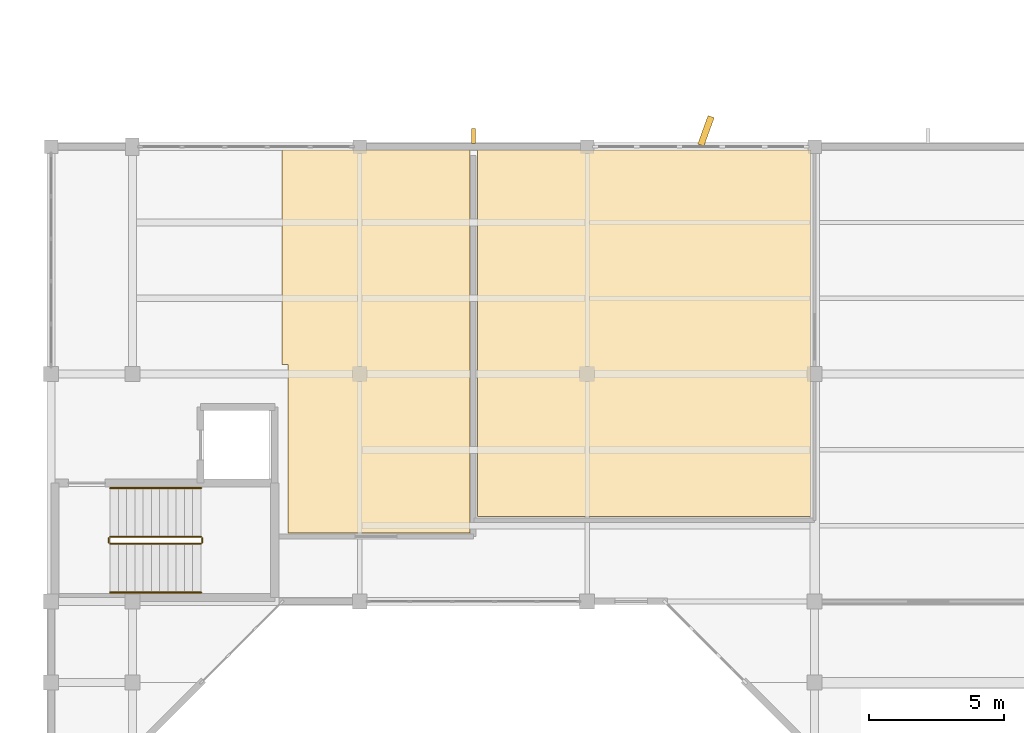
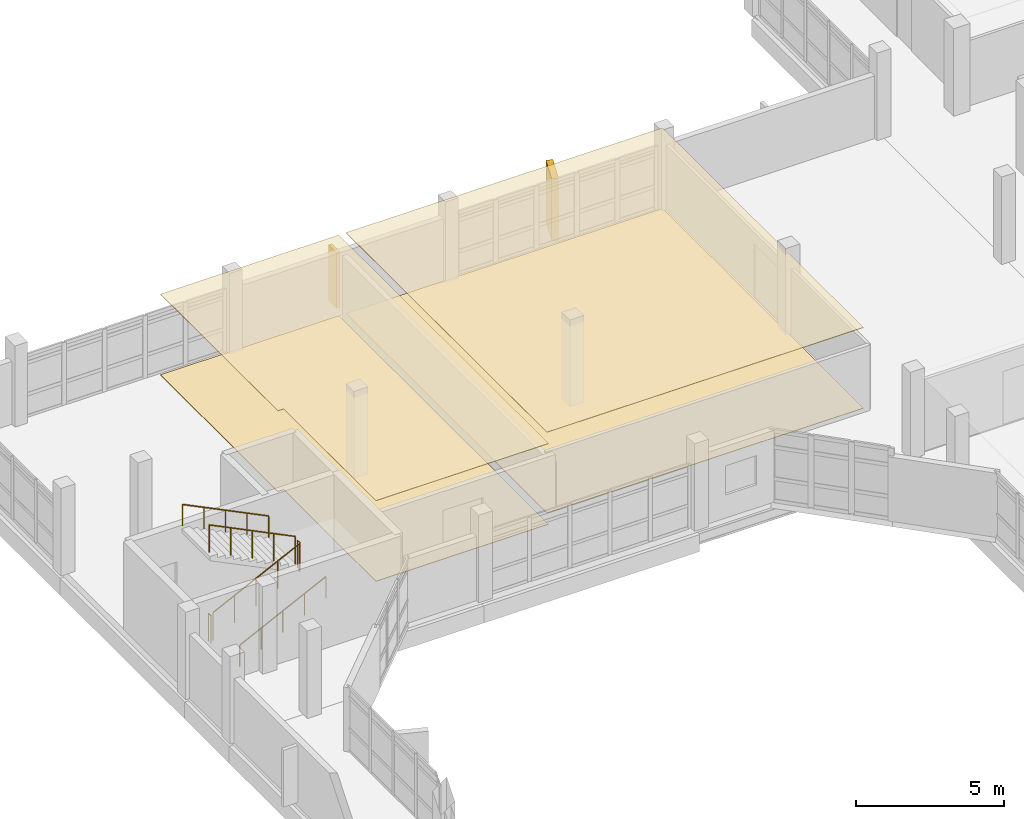
# One storey, part 48 of 51: 6 railings, 5 coverings, 1 shading device.
"""IFC4 building model written with IfcOpenShell, lengths in metres."""

from ifc_helpers import new_model, si_unit, direction, frame, origin, origin_2d, place, context, subcontext, project, spatial, polyline, rectangle, circle, outline, extrude, material, layer, layer_set, type_object, element, save


model = new_model("IFC4")

# Units and contexts
model_context = context("Model", 3, precision=1e-05, world=origin(), true_north=direction((0.0, 1.0)))
body_context = subcontext(model_context, "Body", "Model", "MODEL_VIEW")
ifc_project = project(units=[si_unit("LENGTHUNIT", "METRE"), si_unit("AREAUNIT", "SQUARE_METRE"), si_unit("VOLUMEUNIT", "CUBIC_METRE"), si_unit("PLANEANGLEUNIT", "RADIAN"), si_unit("MASSUNIT", "GRAM", prefix="KILO")], contexts=[model_context])

# Site, building, storey
site_placement = place(None, origin())
site = spatial("IfcSite", under=ifc_project, at=site_placement, CompositionType="ELEMENT")
building_placement = place(site_placement, origin())
building = spatial("IfcBuilding", under=site, at=building_placement, Name="Vanh Quang Courtyard School", CompositionType="ELEMENT")
storey_placement = place(building_placement, frame((0.0, 0.0, 11.39990234375)))
storey = spatial("IfcBuildingStorey", under=building, at=storey_placement, Name="L03", CompositionType="ELEMENT", Elevation=11.39990234375)

# Coverings
ifc_material_1 = material(Name="Perforated mineral-fibre acoustic ceiling board")
ifc_layer_1 = layer(ifc_material_1, 0.02490234375)
ifc_layer_set_1 = layer_set([ifc_layer_1], Name="Perforated mineral-fibre acoustic ceiling board")
covering_type_1 = type_object("IfcCoveringType", Name="COV-CEIL-ACOUSTIC", PredefinedType="CEILING", material=ifc_layer_set_1)
covering_1_placement = place(storey_placement, frame((0.0, 0.0, 3.315185546875)))
element("IfcCovering", 1, at=covering_1_placement, inside=storey, type_object=covering_type_1, Name="Covering CV-CL1 (L03)", PredefinedType="CEILING", context=body_context, shape_type="SweptSolid", body=[
    extrude(outline(polyline([(53.27001953125, 73.93994140625), (53.27001953125, 73.93896484375), (53.269775390625, 73.93798828125), (53.26953125, 73.93701171875), (53.269287109375, 73.936279296875), (53.268798828125, 73.935302734375), (53.268310546875, 73.934326171875), (53.267578125, 73.93359375), (53.26708984375, 73.932861328125), (53.266357421875, 73.932373046875), (53.265625, 73.931640625), (53.2646484375, 73.93115234375), (53.263916015625, 73.930908203125), (53.262939453125, 73.930419921875), (53.261962890625, 73.93017578125), (53.260986328125, 73.929931640625), (53.260009765625, 73.929931640625), (46.550048828125, 73.929931640625), (46.550048828125, 80.14990234375), (46.330078125, 80.14990234375), (46.330078125, 88.06005859375), (46.330078125, 88.06103515625), (46.330078125, 88.06201171875), (46.330322265625, 88.06298828125), (46.330810546875, 88.063720703125), (46.331298828125, 88.064697265625), (46.331787109375, 88.065673828125), (46.332275390625, 88.06640625), (46.3330078125, 88.067138671875), (46.333740234375, 88.067626953125), (46.33447265625, 88.068359375), (46.335205078125, 88.06884765625), (46.336181640625, 88.069091796875), (46.337158203125, 88.069580078125), (46.337890625, 88.06982421875), (46.339111328125, 88.070068359375), (46.340087890625, 88.070068359375), (53.260009765625, 88.070068359375), (53.260986328125, 88.070068359375), (53.261962890625, 88.06982421875), (53.262939453125, 88.069580078125), (53.263916015625, 88.069091796875), (53.2646484375, 88.06884765625), (53.265625, 88.068359375), (53.266357421875, 88.067626953125), (53.26708984375, 88.067138671875), (53.267578125, 88.06640625), (53.268310546875, 88.065673828125), (53.268798828125, 88.064697265625), (53.269287109375, 88.063720703125), (53.26953125, 88.06298828125), (53.269775390625, 88.06201171875), (53.27001953125, 88.06103515625), (53.27001953125, 88.06005859375), (53.27001953125, 73.93994140625)])), origin(), (0.0, 0.0, 1.0), 0.02490234375),
])
covering_2_placement = place(storey_placement, frame((0.0, 0.0, 3.315185546875)))
element("IfcCovering", 2, at=covering_2_placement, inside=storey, type_object=covering_type_1, Name="Covering CV-CL1 (L03)", PredefinedType="CEILING", context=body_context, shape_type="SweptSolid", body=[
    extrude(outline(polyline([(53.550048828125, 88.06005859375), (53.550048828125, 88.06103515625), (53.55029296875, 88.06201171875), (53.55029296875, 88.06298828125), (53.55078125, 88.063720703125), (53.55126953125, 88.064697265625), (53.5517578125, 88.065673828125), (53.55224609375, 88.06640625), (53.552978515625, 88.067138671875), (53.5537109375, 88.067626953125), (53.554443359375, 88.068359375), (53.555419921875, 88.06884765625), (53.55615234375, 88.069091796875), (53.55712890625, 88.069580078125), (53.55810546875, 88.06982421875), (53.55908203125, 88.070068359375), (53.56005859375, 88.070068359375), (65.860107421875, 88.070068359375), (65.861083984375, 88.070068359375), (65.862060546875, 88.06982421875), (65.86279296875, 88.069580078125), (65.86376953125, 88.069091796875), (65.86474609375, 88.06884765625), (65.865478515625, 88.068359375), (65.8662109375, 88.067626953125), (65.8671875, 88.067138671875), (65.86767578125, 88.06640625), (65.868408203125, 88.065673828125), (65.868896484375, 88.064697265625), (65.869140625, 88.063720703125), (65.86962890625, 88.06298828125), (65.869873046875, 88.06201171875), (65.8701171875, 88.06103515625), (65.8701171875, 88.06005859375), (65.8701171875, 74.5400390625), (65.8701171875, 74.5390625), (65.869873046875, 74.5380859375), (65.86962890625, 74.537109375), (65.869140625, 74.5361328125), (65.868896484375, 74.535400390625), (65.868408203125, 74.534423828125), (65.86767578125, 74.53369140625), (65.8671875, 74.532958984375), (65.8662109375, 74.5322265625), (65.865478515625, 74.53173828125), (65.86474609375, 74.53125), (65.86376953125, 74.53076171875), (65.86279296875, 74.530517578125), (65.862060546875, 74.5302734375), (65.861083984375, 74.530029296875), (65.860107421875, 74.530029296875), (53.56005859375, 74.530029296875), (53.55908203125, 74.530029296875), (53.55810546875, 74.5302734375), (53.55712890625, 74.530517578125), (53.55615234375, 74.53076171875), (53.555419921875, 74.53125), (53.554443359375, 74.53173828125), (53.5537109375, 74.5322265625), (53.552978515625, 74.532958984375), (53.55224609375, 74.53369140625), (53.5517578125, 74.534423828125), (53.55126953125, 74.535400390625), (53.55078125, 74.5361328125), (53.55029296875, 74.537109375), (53.55029296875, 74.5380859375), (53.550048828125, 74.5390625), (53.550048828125, 74.5400390625), (53.550048828125, 88.06005859375)])), origin(), (0.0, 0.0, 1.0), 0.02490234375),
])
ifc_material_2 = material(Name="Polished cementitious terrazzo tile", Category="concrete")
ifc_layer_2 = layer(ifc_material_2, 0.02001953125)
ifc_layer_set_2 = layer_set([ifc_layer_2], Name="Polished cementitious terrazzo tile")
covering_type_2 = type_object("IfcCoveringType", Name="COV-FLR-TERRAZZO", PredefinedType="FLOORING", material=ifc_layer_set_2)
covering_3_placement = place(storey_placement, origin())
element("IfcCovering", 3, at=covering_3_placement, inside=storey, type_object=covering_type_2, Name="Covering CV-FL1 (L03)", PredefinedType="FLOORING", context=body_context, shape_type="SweptSolid", body=[
    extrude(outline(polyline([(53.27001953125, 73.93994140625), (53.27001953125, 73.93896484375), (53.269775390625, 73.93798828125), (53.26953125, 73.93701171875), (53.269287109375, 73.936279296875), (53.268798828125, 73.935302734375), (53.268310546875, 73.934326171875), (53.267578125, 73.93359375), (53.26708984375, 73.932861328125), (53.266357421875, 73.932373046875), (53.265625, 73.931640625), (53.2646484375, 73.93115234375), (53.263916015625, 73.930908203125), (53.262939453125, 73.930419921875), (53.261962890625, 73.93017578125), (53.260986328125, 73.929931640625), (53.260009765625, 73.929931640625), (46.550048828125, 73.929931640625), (46.550048828125, 80.14990234375), (46.330078125, 80.14990234375), (46.330078125, 88.06005859375), (46.330078125, 88.06103515625), (46.330078125, 88.06201171875), (46.330322265625, 88.06298828125), (46.330810546875, 88.063720703125), (46.331298828125, 88.064697265625), (46.331787109375, 88.065673828125), (46.332275390625, 88.06640625), (46.3330078125, 88.067138671875), (46.333740234375, 88.067626953125), (46.33447265625, 88.068359375), (46.335205078125, 88.06884765625), (46.336181640625, 88.069091796875), (46.337158203125, 88.069580078125), (46.337890625, 88.06982421875), (46.339111328125, 88.070068359375), (46.340087890625, 88.070068359375), (53.260009765625, 88.070068359375), (53.260986328125, 88.070068359375), (53.261962890625, 88.06982421875), (53.262939453125, 88.069580078125), (53.263916015625, 88.069091796875), (53.2646484375, 88.06884765625), (53.265625, 88.068359375), (53.266357421875, 88.067626953125), (53.26708984375, 88.067138671875), (53.267578125, 88.06640625), (53.268310546875, 88.065673828125), (53.268798828125, 88.064697265625), (53.269287109375, 88.063720703125), (53.26953125, 88.06298828125), (53.269775390625, 88.06201171875), (53.27001953125, 88.06103515625), (53.27001953125, 88.06005859375), (53.27001953125, 73.93994140625)])), origin(), (0.0, 0.0, 1.0), 0.02001953125),
])
covering_4_placement = place(storey_placement, origin())
element("IfcCovering", 4, at=covering_4_placement, inside=storey, type_object=covering_type_2, Name="Covering CV-FL1 (L03)", PredefinedType="FLOORING", context=body_context, shape_type="SweptSolid", body=[
    extrude(outline(polyline([(53.550048828125, 88.06005859375), (53.550048828125, 88.06103515625), (53.55029296875, 88.06201171875), (53.55029296875, 88.06298828125), (53.55078125, 88.063720703125), (53.55126953125, 88.064697265625), (53.5517578125, 88.065673828125), (53.55224609375, 88.06640625), (53.552978515625, 88.067138671875), (53.5537109375, 88.067626953125), (53.554443359375, 88.068359375), (53.555419921875, 88.06884765625), (53.55615234375, 88.069091796875), (53.55712890625, 88.069580078125), (53.55810546875, 88.06982421875), (53.55908203125, 88.070068359375), (53.56005859375, 88.070068359375), (65.860107421875, 88.070068359375), (65.861083984375, 88.070068359375), (65.862060546875, 88.06982421875), (65.86279296875, 88.069580078125), (65.86376953125, 88.069091796875), (65.86474609375, 88.06884765625), (65.865478515625, 88.068359375), (65.8662109375, 88.067626953125), (65.8671875, 88.067138671875), (65.86767578125, 88.06640625), (65.868408203125, 88.065673828125), (65.868896484375, 88.064697265625), (65.869140625, 88.063720703125), (65.86962890625, 88.06298828125), (65.869873046875, 88.06201171875), (65.8701171875, 88.06103515625), (65.8701171875, 88.06005859375), (65.8701171875, 74.5400390625), (65.8701171875, 74.5390625), (65.869873046875, 74.5380859375), (65.86962890625, 74.537109375), (65.869140625, 74.5361328125), (65.868896484375, 74.535400390625), (65.868408203125, 74.534423828125), (65.86767578125, 74.53369140625), (65.8671875, 74.532958984375), (65.8662109375, 74.5322265625), (65.865478515625, 74.53173828125), (65.86474609375, 74.53125), (65.86376953125, 74.53076171875), (65.86279296875, 74.530517578125), (65.862060546875, 74.5302734375), (65.861083984375, 74.530029296875), (65.860107421875, 74.530029296875), (53.56005859375, 74.530029296875), (53.55908203125, 74.530029296875), (53.55810546875, 74.5302734375), (53.55712890625, 74.530517578125), (53.55615234375, 74.53076171875), (53.555419921875, 74.53125), (53.554443359375, 74.53173828125), (53.5537109375, 74.5322265625), (53.552978515625, 74.532958984375), (53.55224609375, 74.53369140625), (53.5517578125, 74.534423828125), (53.55126953125, 74.535400390625), (53.55078125, 74.5361328125), (53.55029296875, 74.537109375), (53.55029296875, 74.5380859375), (53.550048828125, 74.5390625), (53.550048828125, 74.5400390625), (53.550048828125, 88.06005859375)])), origin(), (0.0, 0.0, 1.0), 0.02001953125),
])
ifc_material_3 = material(Name="Board-marked precast concrete C40/50", Category="concrete")
ifc_layer_3 = layer(ifc_material_3, 0.239990234375)
ifc_layer_set_3 = layer_set([ifc_layer_3], Name="Board-marked precast concrete C40/50")
covering_type_3 = type_object("IfcCoveringType", Name="COV-HOOD-CONC", PredefinedType="CLADDING", material=ifc_layer_set_3)
covering_5_placement = place(storey_placement, frame((61.989990234375, 88.784912109375, 0.0), z_axis=(0.0, 0.0, 1.0), x_axis=(0.340379550213, 0.94028812701, 0.0)))
element("IfcCovering", 5, at=covering_5_placement, inside=storey, type_object=covering_type_3, Name="Covering CH-01 (L03)", PredefinedType="CLADDING", context=body_context, shape_type="SweptSolid", body=[
    extrude(rectangle(XDim=1.11669921875, YDim=0.239990234375, at=origin_2d()), origin(), (0.0, 0.0, 1.0), 2.56005859375),
])

# Railings
ifc_material_4 = material(Name="Galvanised painted steel EN 10025-2 S355J2", Category="steel")
railing_type_1 = type_object("IfcRailingType", Name="RAIL-GUARD-1150", PredefinedType="BALUSTRADE", material=ifc_material_4)
railing_1_placement = place(storey_placement, frame((39.97998046875, 73.530029296875, 0.150146484375)))
element("IfcRailing", 6, at=railing_1_placement, inside=storey, type_object=railing_type_1, Name="L03 ST-03 stair guard 1", PredefinedType="BALUSTRADE", context=body_context, shape_type="SweptSolid", body=[
    extrude(circle(Radius=0.02392578125, at=origin_2d()), frame((0.0, 0.0, 1.1259765625), z_axis=(0.897359292542, 0.0, 0.441300691239), x_axis=(0.0, 1.0, 0.0)), (0.0, 0.0, 1.0), 3.73876953125),
    extrude(circle(Radius=0.02099609375, at=origin_2d()), origin(), (0.0, 0.0, 1.0), 1.101806640625),
    extrude(circle(Radius=0.02099609375, at=origin_2d()), frame((0.8388671875, 0.0, 0.41259765625)), (0.0, 0.0, 1.0), 1.101806640625),
    extrude(circle(Radius=0.02099609375, at=origin_2d()), frame((1.677490234375, 0.0, 0.824951171875)), (0.0, 0.0, 1.0), 1.101806640625),
    extrude(circle(Radius=0.02099609375, at=origin_2d()), frame((2.51611328125, 0.0, 1.2373046875)), (0.0, 0.0, 1.0), 1.101806640625),
    extrude(circle(Radius=0.02099609375, at=origin_2d()), frame((3.35498046875, 0.0, 1.64990234375)), (0.0, 0.0, 1.0), 1.101806640625),
])
railing_2_placement = place(storey_placement, frame((43.385009765625, 73.580078125, 1.800048828125)))
element("IfcRailing", 7, at=railing_2_placement, inside=storey, type_object=railing_type_1, Name="L03 ST-03 stair guard 2", PredefinedType="BALUSTRADE", context=body_context, shape_type="SweptSolid", body=[
    extrude(circle(Radius=0.02392578125, at=origin_2d()), frame((0.0, 0.0, 1.1259765625), z_axis=(0.0, 1.0, 0.0), x_axis=(-1.0, 0.0, 0.0)), (0.0, 0.0, 1.0), 0.159912109375),
    extrude(circle(Radius=0.02099609375, at=origin_2d()), origin(), (0.0, 0.0, 1.0), 1.101806640625),
    extrude(circle(Radius=0.02099609375, at=origin_2d()), frame((0.0, 0.159912109375, 0.0)), (0.0, 0.0, 1.0), 1.101806640625),
])
railing_3_placement = place(storey_placement, frame((43.3349609375, 73.7900390625, 1.9501953125)))
element("IfcRailing", 8, at=railing_3_placement, inside=storey, type_object=railing_type_1, Name="L03 ST-03 stair guard 3", PredefinedType="BALUSTRADE", context=body_context, shape_type="SweptSolid", body=[
    extrude(circle(Radius=0.02392578125, at=origin_2d()), frame((0.0, 0.0, 1.1259765625), z_axis=(-0.897359292542, 0.0, 0.441300691239), x_axis=(0.0, -1.0, 0.0)), (0.0, 0.0, 1.0), 3.73876953125),
    extrude(circle(Radius=0.02099609375, at=origin_2d()), origin(), (0.0, 0.0, 1.0), 1.101806640625),
    extrude(circle(Radius=0.02099609375, at=origin_2d()), frame((-0.8388671875, 0.0, 0.41259765625)), (0.0, 0.0, 1.0), 1.101806640625),
    extrude(circle(Radius=0.02099609375, at=origin_2d()), frame((-1.677490234375, 0.0, 0.824951171875)), (0.0, 0.0, 1.0), 1.101806640625),
    extrude(circle(Radius=0.02099609375, at=origin_2d()), frame((-2.51611328125, 0.0, 1.2373046875)), (0.0, 0.0, 1.0), 1.101806640625),
    extrude(circle(Radius=0.02099609375, at=origin_2d()), frame((-3.35498046875, 0.0, 1.64990234375)), (0.0, 0.0, 1.0), 1.101806640625),
])
railing_4_placement = place(storey_placement, frame((39.929931640625, 73.580078125, 0.0)))
element("IfcRailing", 9, at=railing_4_placement, inside=storey, type_object=railing_type_1, Name="L03 ST-03 stair guard 4", PredefinedType="BALUSTRADE", context=body_context, shape_type="SweptSolid", body=[
    extrude(circle(Radius=0.02392578125, at=origin_2d()), frame((0.0, 0.0, 1.1259765625), z_axis=(0.0, 1.0, 0.0), x_axis=(-1.0, 0.0, 0.0)), (0.0, 0.0, 1.0), 0.159912109375),
    extrude(circle(Radius=0.02099609375, at=origin_2d()), origin(), (0.0, 0.0, 1.0), 1.101806640625),
    extrude(circle(Radius=0.02099609375, at=origin_2d()), frame((0.0, 0.159912109375, 0.0)), (0.0, 0.0, 1.0), 1.101806640625),
])
ifc_material_5 = material(Name="Brushed stainless steel", Category="steel")
railing_type_2 = type_object("IfcRailingType", Name="RAIL-HAND-900", PredefinedType="HANDRAIL", material=ifc_material_5)
railing_5_placement = place(storey_placement, frame((39.97998046875, 71.72998046875, 0.150146484375)))
element("IfcRailing", 10, at=railing_5_placement, inside=storey, type_object=railing_type_2, Name="L03 ST-03 stair handrail 1", PredefinedType="HANDRAIL", context=body_context, shape_type="SweptSolid", body=[
    extrude(circle(Radius=0.02392578125, at=origin_2d()), frame((0.0, 0.0, 0.8759765625), z_axis=(0.897359292542, 0.0, 0.441300691239), x_axis=(0.0, 1.0, 0.0)), (0.0, 0.0, 1.0), 3.73876953125),
    extrude(circle(Radius=0.02099609375, at=origin_2d()), origin(), (0.0, 0.0, 1.0), 0.851806640625),
    extrude(circle(Radius=0.02099609375, at=origin_2d()), frame((0.8388671875, 0.0, 0.41259765625)), (0.0, 0.0, 1.0), 0.851806640625),
    extrude(circle(Radius=0.02099609375, at=origin_2d()), frame((1.677490234375, 0.0, 0.824951171875)), (0.0, 0.0, 1.0), 0.851806640625),
    extrude(circle(Radius=0.02099609375, at=origin_2d()), frame((2.51611328125, 0.0, 1.2373046875)), (0.0, 0.0, 1.0), 0.851806640625),
    extrude(circle(Radius=0.02099609375, at=origin_2d()), frame((3.35498046875, 0.0, 1.64990234375)), (0.0, 0.0, 1.0), 0.851806640625),
])
railing_6_placement = place(storey_placement, frame((43.3349609375, 75.590087890625, 1.9501953125)))
element("IfcRailing", 11, at=railing_6_placement, inside=storey, type_object=railing_type_2, Name="L03 ST-03 stair handrail 2", PredefinedType="HANDRAIL", context=body_context, shape_type="SweptSolid", body=[
    extrude(circle(Radius=0.02392578125, at=origin_2d()), frame((0.0, 0.0, 0.8759765625), z_axis=(-0.897359292542, 0.0, 0.441300691239), x_axis=(0.0, -1.0, 0.0)), (0.0, 0.0, 1.0), 3.73876953125),
    extrude(circle(Radius=0.02099609375, at=origin_2d()), origin(), (0.0, 0.0, 1.0), 0.851806640625),
    extrude(circle(Radius=0.02099609375, at=origin_2d()), frame((-0.8388671875, 0.0, 0.41259765625)), (0.0, 0.0, 1.0), 0.851806640625),
    extrude(circle(Radius=0.02099609375, at=origin_2d()), frame((-1.677490234375, 0.0, 0.824951171875)), (0.0, 0.0, 1.0), 0.851806640625),
    extrude(circle(Radius=0.02099609375, at=origin_2d()), frame((-2.51611328125, 0.0, 1.2373046875)), (0.0, 0.0, 1.0), 0.851806640625),
    extrude(circle(Radius=0.02099609375, at=origin_2d()), frame((-3.35498046875, 0.0, 1.64990234375)), (0.0, 0.0, 1.0), 0.851806640625),
])

# Shading device
shading_device_type = type_object("IfcShadingDeviceType", Name="SHD-FIN-CONCRETE", PredefinedType="USERDEFINED", material=ifc_material_3)
shading_device_placement = place(storey_placement, frame((53.39990234375, 88.594970703125, 0.14990234375), z_axis=(0.0, 0.0, 1.0), x_axis=(1.0, 0.0, 0.0)))
element("IfcShadingDevice", 12, at=shading_device_placement, inside=storey, type_object=shading_device_type, Name="Solar Shading SH-02 (L03)", ObjectType="Solar Shading SH-02 (L03)", PredefinedType="USERDEFINED", context=body_context, shape_type="SweptSolid", body=[
    extrude(rectangle(XDim=0.139892578125, YDim=0.550048828125, at=origin_2d()), origin(), (0.0, 0.0, 1.0), 2.280029296875),
])

save(model, "model.ifc")
